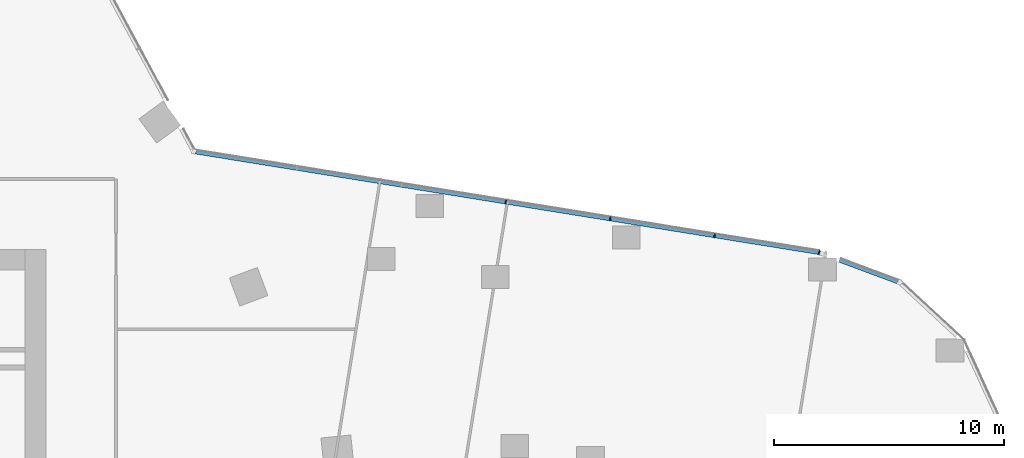
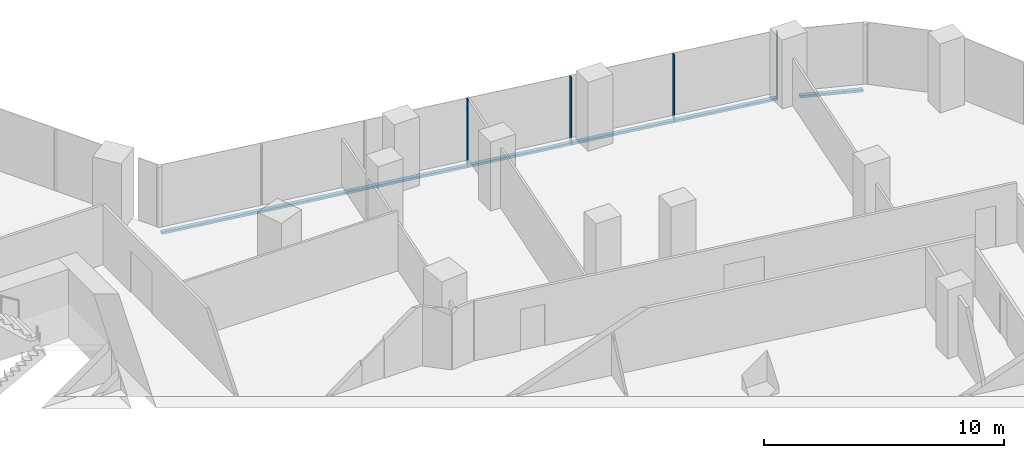
# One storey, part 14 of 34: 6 members, 2 elements without a shape of their own.
"""IFC4 building model written with IfcOpenShell, lengths in metres."""

from ifc_helpers import new_model, si_unit, direction, frame, origin, origin_2d, place, context, subcontext, project, spatial, rectangle, extrude, material, material_profile, profile_set, type_object, element, aggregate, save


model = new_model("IFC4")

# Units and contexts
model_context = context("Model", 3, precision=1e-05, world=origin(), true_north=direction((0.0, 1.0)))
body_context = subcontext(model_context, "Body", "Model", "MODEL_VIEW")
ifc_project = project(units=[si_unit("LENGTHUNIT", "METRE"), si_unit("AREAUNIT", "SQUARE_METRE"), si_unit("VOLUMEUNIT", "CUBIC_METRE"), si_unit("PLANEANGLEUNIT", "RADIAN"), si_unit("MASSUNIT", "GRAM", prefix="KILO")], contexts=[model_context])

# Site, building, storey
site_placement = place(None, origin())
site = spatial("IfcSite", under=ifc_project, at=site_placement, CompositionType="ELEMENT")
building_placement = place(site_placement, origin())
building = spatial("IfcBuilding", under=site, at=building_placement, Name="Orlundy Tower", CompositionType="ELEMENT")
storey_placement = place(building_placement, frame((0.0, 0.0, 134.199951171875)))
storey = spatial("IfcBuildingStorey", under=building, at=storey_placement, Name="L34", CompositionType="ELEMENT", Elevation=134.199951171875)

# Curtain wall, members
ifc_material_1 = material(Name="Aluminium bronze anodised", Category="aluminium")
curtain_wall_type = type_object("IfcCurtainWallType", Name="CW1 wall", PredefinedType="NOTDEFINED", material=ifc_material_1)
curtain_wall_1_placement = place(storey_placement, origin())
curtain_wall_1 = element("IfcCurtainWall", 1, at=curtain_wall_1_placement, inside=storey, type_object=curtain_wall_type, Name="CW1 run 06", PredefinedType="NOTDEFINED")
ifc_material_2 = material(Name="Aluminium bronze anodised", Category="aluminium")
ifc_material_profile_1 = material_profile(ifc_material_2, rectangle(XDim=0.179931640625, YDim=0.050048828125, at=origin_2d()), Name="CW1 mullion 50x180")
ifc_profile_set_1 = profile_set([ifc_material_profile_1], Name="Aluminium bronze anodised")
member_type_1 = type_object("IfcMemberType", Name="CW1 mullion 50x180", PredefinedType="MULLION", material=ifc_profile_set_1)
member_1_placement = place(storey_placement, frame((38.971923828125, 14.060791015625, -0.39990234375), z_axis=(0.0, 0.0, 1.0), x_axis=(0.159302095871, 0.987229883184, 0.0)))
member_1 = element("IfcMember", 2, at=member_1_placement, type_object=member_type_1, Name="CW1 mullion 29", PredefinedType="MULLION", context=body_context, shape_type="SweptSolid", body=[
    extrude(rectangle(XDim=0.179931640625, YDim=0.050048828125, at=origin_2d()), origin(), (0.0, 0.0, 1.0), 3.449951171875),
])
member_2_placement = place(storey_placement, frame((43.501953125, 13.329833984375, -0.39990234375), z_axis=(0.0, 0.0, 1.0), x_axis=(0.159302095871, 0.987229883184, 0.0)))
member_2 = element("IfcMember", 3, at=member_2_placement, type_object=member_type_1, Name="CW1 mullion 30", PredefinedType="MULLION", context=body_context, shape_type="SweptSolid", body=[
    extrude(rectangle(XDim=0.179931640625, YDim=0.050048828125, at=origin_2d()), origin(), (0.0, 0.0, 1.0), 3.449951171875),
])
member_3_placement = place(storey_placement, frame((48.0322265625, 12.598876953125, -0.39990234375), z_axis=(0.0, 0.0, 1.0), x_axis=(0.159302095871, 0.987229883184, 0.0)))
member_3 = element("IfcMember", 4, at=member_3_placement, type_object=member_type_1, Name="CW1 mullion 31", PredefinedType="MULLION", context=body_context, shape_type="SweptSolid", body=[
    extrude(rectangle(XDim=0.179931640625, YDim=0.050048828125, at=origin_2d()), origin(), (0.0, 0.0, 1.0), 3.449951171875),
])

# Curtain wall, member
curtain_wall_2_placement = place(storey_placement, origin())
curtain_wall_2 = element("IfcCurtainWall", 5, at=curtain_wall_2_placement, inside=storey, type_object=curtain_wall_type, Name="CW1 run 07", PredefinedType="NOTDEFINED")
member_4_placement = place(storey_placement, frame((52.571044921875, 11.866455078125, -0.39990234375), z_axis=(0.0, 0.0, 1.0), x_axis=(0.255333702163, 0.96685298807, 0.0)))
member_4 = element("IfcMember", 6, at=member_4_placement, type_object=member_type_1, Name="CW1 mullion 32", PredefinedType="MULLION", context=body_context, shape_type="SweptSolid", body=[
    extrude(rectangle(XDim=0.179931640625, YDim=0.050048828125, at=origin_2d()), origin(), (0.0, 0.0, 1.0), 3.449951171875),
])

# Member
ifc_material_3 = material(Name="Aluminium bronze anodised", Category="aluminium")
ifc_material_profile_2 = material_profile(ifc_material_3, rectangle(XDim=0.179931640625, YDim=0.1201171875, at=origin_2d()), Name="CW1 transom 180x120")
ifc_profile_set_2 = profile_set([ifc_material_profile_2], Name="Aluminium bronze anodised")
member_type_2 = type_object("IfcMemberType", Name="CW1 transom 180x120", PredefinedType="USERDEFINED", material=ifc_profile_set_2)
member_5_placement = place(storey_placement, frame((25.513916015625, 16.232421875, -0.33984375), z_axis=(0.987229724449, -0.159303079582, 0.0), x_axis=(0.159303079582, 0.987229724449, 0.0)))
member_5 = element("IfcMember", 7, at=member_5_placement, type_object=member_type_2, Name="CW1 transom", ObjectType="TRANSOM", PredefinedType="USERDEFINED", context=body_context, shape_type="SweptSolid", body=[
    extrude(rectangle(XDim=0.179931640625, YDim=0.1201171875, at=origin_2d()), origin(), (0.0, 0.0, 1.0), 27.382080078125),
])

aggregate(curtain_wall_1, [member_1, member_2, member_3, member_5])

member_6_placement = place(storey_placement, frame((53.465087890625, 11.53369140625, -0.33984375), z_axis=(0.937149851319, -0.348927150238, 0.0), x_axis=(0.348927150238, 0.937149851319, 0.0)))
member_6 = element("IfcMember", 8, at=member_6_placement, type_object=member_type_2, Name="CW1 transom", ObjectType="TRANSOM", PredefinedType="USERDEFINED", context=body_context, shape_type="SweptSolid", body=[
    extrude(rectangle(XDim=0.179931640625, YDim=0.1201171875, at=origin_2d()), origin(), (0.0, 0.0, 1.0), 2.68115234375),
])

aggregate(curtain_wall_2, [member_4, member_6])

save(model, "model.ifc")
